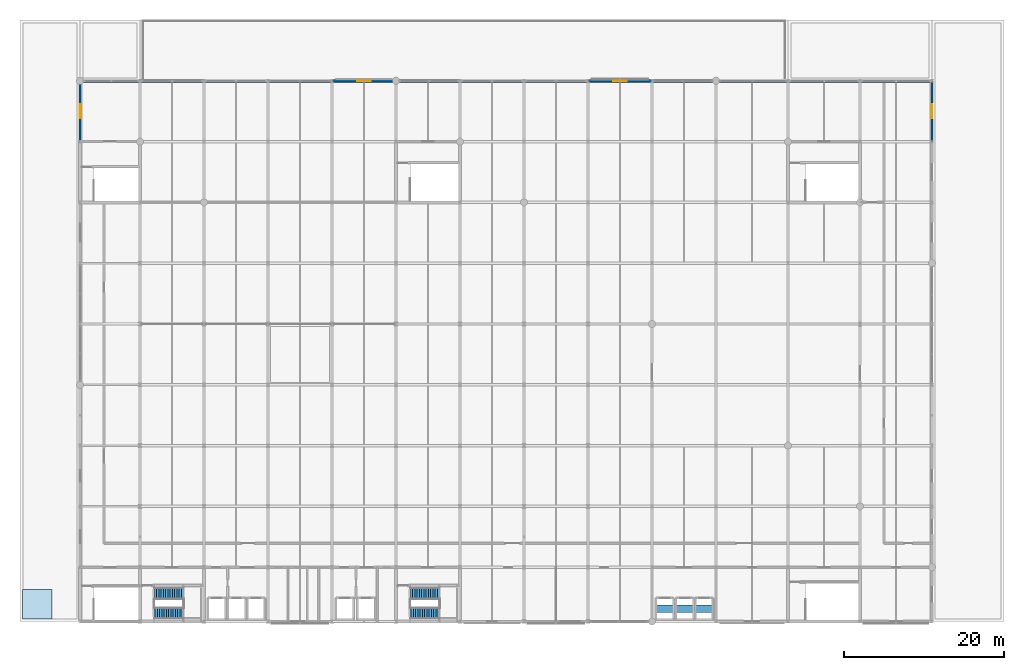
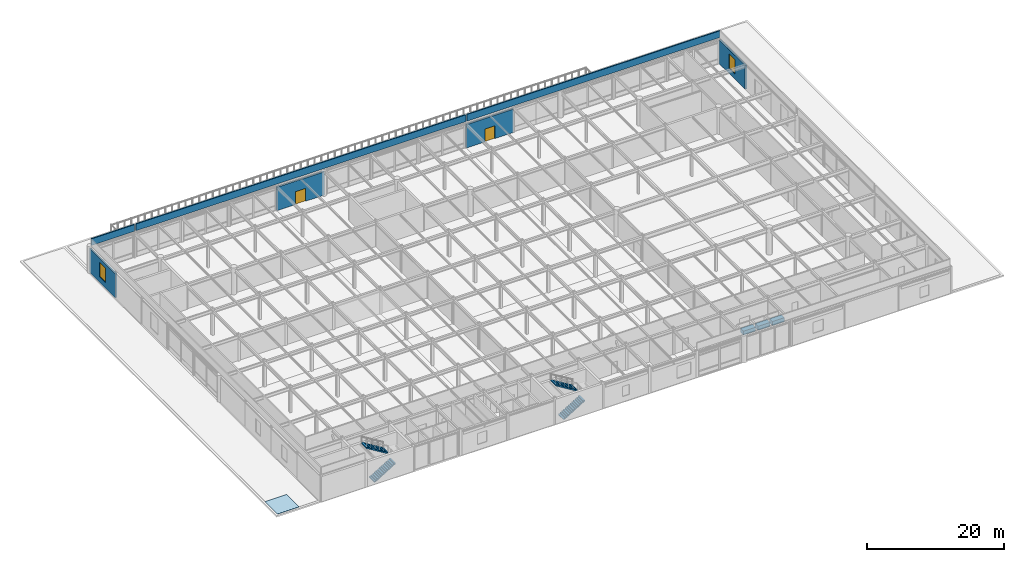
# One storey, part 39 of 43: 7 walls, 4 stair flights, 3 discrete accessories, 2 doors, 2 windows, 1 roof, 4 openings, 2 elements without a shape of their own.
"""IFC4 building model written with IfcOpenShell, lengths in metres."""

from ifc_helpers import new_model, si_unit, direction, frame, frame_2d, origin, origin_2d, place, context, subcontext, project, spatial, polyline, rectangle, outline, extrude, material, layer, layer_set, type_object, element, fill, aggregate, save


model = new_model("IFC4")

# Units and contexts
model_context = context("Model", 3, precision=1e-05, world=origin(), true_north=direction((0.0, 1.0)))
body_context = subcontext(model_context, "Body", "Model", "MODEL_VIEW")
ifc_project = project(units=[si_unit("LENGTHUNIT", "METRE"), si_unit("AREAUNIT", "SQUARE_METRE"), si_unit("VOLUMEUNIT", "CUBIC_METRE"), si_unit("PLANEANGLEUNIT", "RADIAN"), si_unit("MASSUNIT", "GRAM", prefix="KILO")], contexts=[model_context])

# Site, building, storey
site_placement = place(None, origin())
site = spatial("IfcSite", under=ifc_project, at=site_placement, CompositionType="ELEMENT")
building_placement = place(site_placement, origin())
building = spatial("IfcBuilding", under=site, at=building_placement, Name="Shalkamar Park Central Library", CompositionType="ELEMENT")
storey_placement = place(building_placement, frame((0.0, 0.0, 15.60009765625)))
storey = spatial("IfcBuildingStorey", under=building, at=storey_placement, Name="L04", CompositionType="ELEMENT", Elevation=15.60009765625)

# Walls
ifc_material_1 = material(Name="Concrete C35/45 precast", Category="concrete")
ifc_layer_1 = layer(ifc_material_1, 0.179931640625)
ifc_layer_set_1 = layer_set([ifc_layer_1], Name="Concrete C35/45 precast")
wall_type_1 = type_object("IfcWallType", Name="Roof Parapet Wall 180", PredefinedType="PARAPET", material=ifc_layer_set_1)
wall_1_placement = place(storey_placement, frame((157.60009765625, 315.89990234375, 4.7998046875), z_axis=(0.0, 0.0, 1.0), x_axis=(1.0, 0.0, 0.0)))
element("IfcWall", 1, at=wall_1_placement, inside=storey, type_object=wall_type_1, Name="Roof Parapet Wall L04-27", PredefinedType="PARAPET", context=body_context, shape_type="SweptSolid", body=[
    extrude(rectangle(XDim=7.2998046875, YDim=0.179931640625, at=frame_2d((3.64990234375, 0.0))), origin(), (0.0, 0.0, 1.0), 1.2001953125),
])
wall_2_placement = place(storey_placement, frame((165.10009765625, 315.89990234375, 4.7998046875), z_axis=(0.0, 0.0, 1.0), x_axis=(1.0, 0.0, 0.0)))
element("IfcWall", 2, at=wall_2_placement, inside=storey, type_object=wall_type_1, Name="Roof Parapet Wall L04-29", PredefinedType="PARAPET", context=body_context, shape_type="SweptSolid", body=[
    extrude(rectangle(XDim=55.7998046875, YDim=0.179931640625, at=frame_2d((27.89990234375, 0.0))), origin(), (0.0, 0.0, 1.0), 1.2001953125),
])
wall_3_placement = place(storey_placement, frame((221.10009765625, 315.89990234375, 4.7998046875), z_axis=(0.0, 0.0, 1.0), x_axis=(1.0, 0.0, 0.0)))
element("IfcWall", 3, at=wall_3_placement, inside=storey, type_object=wall_type_1, Name="Roof Parapet Wall L04-33", PredefinedType="PARAPET", context=body_context, shape_type="SweptSolid", body=[
    extrude(rectangle(XDim=42.7998046875, YDim=0.179931640625, at=frame_2d((21.39990234375, 0.0))), origin(), (0.0, 0.0, 1.0), 1.2001953125),
])

# Wall, opening, door
ifc_material_2 = material(Name="Travertine insulated rainscreen", Category="masonry")
ifc_layer_2 = layer(ifc_material_2, 0.2900390625)
ifc_layer_set_2 = layer_set([ifc_layer_2], Name="TravertineTerracottaWall_290")
wall_type_2 = type_object("IfcWallType", Name="Travertine Terracotta Wall 290", PredefinedType="SOLIDWALL", material=ifc_layer_set_2)
wall_4_placement = place(storey_placement, frame((189.006103515625, 316.0, 0.0), z_axis=(0.0, 0.0, 1.0), x_axis=(1.0, 0.0, 0.0)))
wall_4 = element("IfcWall", 4, at=wall_4_placement, inside=storey, type_object=wall_type_2, Name="Exterior Facade Wall WL-EXT-L04-114", PredefinedType="SOLIDWALL", context=body_context, shape_type="SweptSolid", body=[
    extrude(rectangle(XDim=7.98779296875, YDim=0.2900390625, at=frame_2d((3.993896484375, 0.0))), origin(), (0.0, 0.0, 1.0), 4.16796875),
])
opening_1_placement = place(wall_4_placement, frame((3.14404296875, 0.0, 0.0)))
opening_1 = element("IfcOpeningElement", 5, at=opening_1_placement, cuts=wall_4, Name="Opening ED-L04-037", PredefinedType="OPENING", context=body_context, shape_type="SweptSolid", body=[
    extrude(rectangle(XDim=1.699951171875, YDim=2.300048828125, at=frame_2d((0.85009765625, 1.14990234375))), frame((0.0, 0.159912109375, 0.0), z_axis=(0.0, -1.0, 0.0), x_axis=(1.0, 0.0, 0.0)), (0.0, 0.0, 1.0), 0.31982421875),
])
ifc_material_3 = material(Name="Thermally broken insulated aluminium and glazed door", Category="aluminium")
door_type = type_object("IfcDoorType", Name="Cascade Terrace Door 1700x2300", OperationType="DOUBLE_DOOR_SINGLE_SWING", PredefinedType="DOOR", material=ifc_material_3)
door_1_placement = place(opening_1_placement, origin())
door_1 = element("IfcDoor", 6, at=door_1_placement, inside=storey, type_object=door_type, Name="L04 Upper Park Terrace Door 10", OperationType="DOUBLE_DOOR_SINGLE_SWING", OverallHeight=2.300048828125, OverallWidth=1.699951171875, PredefinedType="DOOR", context=body_context, shape_type="SweptSolid", body=[
    extrude(rectangle(XDim=1.699951171875, YDim=2.300048828125, at=frame_2d((0.85009765625, 1.14990234375))), frame((0.0, 0.02490234375, 0.0), z_axis=(0.0, -1.0, 0.0), x_axis=(1.0, 0.0, 0.0)), (0.0, 0.0, 1.0), 0.050048828125),
])
fill(opening_1, door_1)

wall_5_placement = place(storey_placement, frame((221.006103515625, 316.0, 0.0), z_axis=(0.0, 0.0, 1.0), x_axis=(1.0, 0.0, 0.0)))
wall_5 = element("IfcWall", 7, at=wall_5_placement, inside=storey, type_object=wall_type_2, Name="Exterior Facade Wall WL-EXT-L04-115", PredefinedType="SOLIDWALL", context=body_context, shape_type="SweptSolid", body=[
    extrude(rectangle(XDim=7.98779296875, YDim=0.2900390625, at=frame_2d((3.993896484375, 0.0))), origin(), (0.0, 0.0, 1.0), 4.16796875),
])
opening_2_placement = place(wall_5_placement, frame((3.14404296875, 0.0, 0.0)))
opening_2 = element("IfcOpeningElement", 8, at=opening_2_placement, cuts=wall_5, Name="Opening ED-L04-038", PredefinedType="OPENING", context=body_context, shape_type="SweptSolid", body=[
    extrude(rectangle(XDim=1.699951171875, YDim=2.300048828125, at=frame_2d((0.85009765625, 1.14990234375))), frame((0.0, 0.159912109375, 0.0), z_axis=(0.0, -1.0, 0.0), x_axis=(1.0, 0.0, 0.0)), (0.0, 0.0, 1.0), 0.31982421875),
])
door_2_placement = place(opening_2_placement, origin())
door_2 = element("IfcDoor", 9, at=door_2_placement, inside=storey, type_object=door_type, Name="L04 Upper Park Terrace Door 14", OperationType="DOUBLE_DOOR_SINGLE_SWING", OverallHeight=2.300048828125, OverallWidth=1.699951171875, PredefinedType="DOOR", context=body_context, shape_type="SweptSolid", body=[
    extrude(rectangle(XDim=1.699951171875, YDim=2.300048828125, at=frame_2d((0.85009765625, 1.14990234375))), frame((0.0, 0.02490234375, 0.0), z_axis=(0.0, -1.0, 0.0), x_axis=(1.0, 0.0, 0.0)), (0.0, 0.0, 1.0), 0.050048828125),
])
fill(opening_2, door_2)

# Wall, opening, window
wall_6_placement = place(storey_placement, frame((157.5, 308.406005859375, 0.0), z_axis=(0.0, 0.0, 1.0), x_axis=(0.0, 1.0, 0.0)))
wall_6 = element("IfcWall", 10, at=wall_6_placement, inside=storey, type_object=wall_type_2, Name="Exterior Facade Wall WL-EXT-L04-120", PredefinedType="SOLIDWALL", context=body_context, shape_type="SweptSolid", body=[
    extrude(rectangle(XDim=7.587890625, YDim=0.2900390625, at=frame_2d((3.7939453125, 0.0))), origin(), (0.0, 0.0, 1.0), 4.27783203125),
])
opening_3_placement = place(wall_6_placement, frame((2.89404296875, 0.0, 0.949951171875)))
opening_3 = element("IfcOpeningElement", 11, at=opening_3_placement, cuts=wall_6, Name="Opening WN-06", PredefinedType="OPENING", context=body_context, shape_type="SweptSolid", body=[
    extrude(rectangle(XDim=1.800048828125, YDim=2.60009765625, at=frame_2d((0.89990234375, 1.300048828125))), frame((0.0, 0.159912109375, 0.0), z_axis=(0.0, -1.0, 0.0), x_axis=(1.0, 0.0, 0.0)), (0.0, 0.0, 1.0), 0.31982421875),
])
ifc_material_4 = material(Name="Thermally broken aluminium and triple low-e glass", Category="glass")
window_type = type_object("IfcWindowType", Name="Podium Window 1800x2600", PartitioningType="DOUBLE_PANEL_VERTICAL", PredefinedType="WINDOW", material=ifc_material_4)
window_1_placement = place(opening_3_placement, origin())
window_1 = element("IfcWindow", 12, at=window_1_placement, inside=storey, type_object=window_type, Name="Facade Window WN-L04-078", OverallHeight=2.60009765625, OverallWidth=1.800048828125, PartitioningType="DOUBLE_PANEL_VERTICAL", PredefinedType="WINDOW", context=body_context, shape_type="SweptSolid", body=[
    extrude(rectangle(XDim=1.800048828125, YDim=2.60009765625, at=frame_2d((0.89990234375, 1.300048828125))), frame((0.0, 0.030029296875, 0.0), z_axis=(0.0, -1.0, 0.0), x_axis=(1.0, 0.0, 0.0)), (0.0, 0.0, 1.0), 0.06005859375),
])
fill(opening_3, window_1)

wall_7_placement = place(storey_placement, frame((264.0, 308.406005859375, 0.0), z_axis=(0.0, 0.0, 1.0), x_axis=(0.0, 1.0, 0.0)))
wall_7 = element("IfcWall", 13, at=wall_7_placement, inside=storey, type_object=wall_type_2, Name="Exterior Facade Wall WL-EXT-L04-127", PredefinedType="SOLIDWALL", context=body_context, shape_type="SweptSolid", body=[
    extrude(rectangle(XDim=7.587890625, YDim=0.2900390625, at=frame_2d((3.7939453125, 0.0))), origin(), (0.0, 0.0, 1.0), 4.27783203125),
])
opening_4_placement = place(wall_7_placement, frame((2.89404296875, 0.0, 0.949951171875)))
opening_4 = element("IfcOpeningElement", 14, at=opening_4_placement, cuts=wall_7, Name="Opening WN-06", PredefinedType="OPENING", context=body_context, shape_type="SweptSolid", body=[
    extrude(rectangle(XDim=1.800048828125, YDim=2.60009765625, at=frame_2d((0.89990234375, 1.300048828125))), frame((0.0, 0.159912109375, 0.0), z_axis=(0.0, -1.0, 0.0), x_axis=(1.0, 0.0, 0.0)), (0.0, 0.0, 1.0), 0.31982421875),
])
window_2_placement = place(opening_4_placement, origin())
window_2 = element("IfcWindow", 15, at=window_2_placement, inside=storey, type_object=window_type, Name="Facade Window WN-L04-084", OverallHeight=2.60009765625, OverallWidth=1.800048828125, PartitioningType="DOUBLE_PANEL_VERTICAL", PredefinedType="WINDOW", context=body_context, shape_type="SweptSolid", body=[
    extrude(rectangle(XDim=1.800048828125, YDim=2.60009765625, at=frame_2d((0.89990234375, 1.300048828125))), frame((0.0, 0.030029296875, 0.0), z_axis=(0.0, -1.0, 0.0), x_axis=(1.0, 0.0, 0.0)), (0.0, 0.0, 1.0), 0.06005859375),
])
fill(opening_4, window_2)

# Stair, stair flights
ifc_material_5 = material(Name="Concrete C35/45", Category="concrete")
stair_type = type_object("IfcStairType", Name="Protected Dog Leg Stair 150x480", PredefinedType="TWO_STRAIGHT_RUN_STAIR", material=ifc_material_5)
stair_1_placement = place(storey_placement, origin())
stair_1 = element("IfcStair", 16, at=stair_1_placement, inside=storey, type_object=stair_type, Name="Protected Core Stair ST-T1-L04", PredefinedType="TWO_STRAIGHT_RUN_STAIR")
stair_flight_type = type_object("IfcStairFlightType", Name="Straight Stair Flight 150x480", PredefinedType="STRAIGHT", material=ifc_material_5)
stair_flight_1_placement = place(storey_placement, frame((166.6201171875, 249.389892578125, 0.0), z_axis=(0.0, 0.0, 1.0), x_axis=(1.0, 0.0, 0.0)))
stair_flight_1 = element("IfcStairFlight", 17, at=stair_flight_1_placement, type_object=stair_flight_type, Name="ST-T1-L04 flight 1", NumberOfRisers=14, NumberOfTreads=13, PredefinedType="STRAIGHT", RiserHeight=0.171429, TreadLength=0.28, context=body_context, shape_type="SweptSolid", body=[
    extrude(outline(polyline([(0.0, 0.0), (0.0, 0.17138671875), (0.280029296875, 0.17138671875), (0.280029296875, 0.3427734375), (0.56005859375, 0.3427734375), (0.56005859375, 0.514404296875), (0.840087890625, 0.514404296875), (0.840087890625, 0.685791015625), (1.1201171875, 0.685791015625), (1.1201171875, 0.857177734375), (1.39990234375, 0.857177734375), (1.39990234375, 1.028564453125), (1.679931640625, 1.028564453125), (1.679931640625, 1.199951171875), (1.9599609375, 1.199951171875), (1.9599609375, 1.371337890625), (2.239990234375, 1.371337890625), (2.239990234375, 1.54296875), (2.52001953125, 1.54296875), (2.52001953125, 1.71435546875), (2.800048828125, 1.71435546875), (2.800048828125, 1.8857421875), (3.080078125, 1.8857421875), (3.080078125, 2.05712890625), (3.360107421875, 2.05712890625), (3.360107421875, 2.228515625), (3.639892578125, 2.228515625), (3.639892578125, 2.39990234375), (3.639892578125, 2.052734375), (0.287109375, 0.0), (0.0, 0.0)])), frame((0.0, 0.75, 0.0), z_axis=(0.0, -1.0, 0.0), x_axis=(1.0, 0.0, 0.0)), (0.0, 0.0, 1.0), 1.5),
])
stair_flight_2_placement = place(storey_placement, frame((170.43994140625, 251.909912109375, 2.39990234375), z_axis=(0.0, 0.0, 1.0), x_axis=(-1.0, 0.0, 0.0)))
stair_flight_2 = element("IfcStairFlight", 18, at=stair_flight_2_placement, type_object=stair_flight_type, Name="ST-T1-L04 flight 2", NumberOfRisers=14, NumberOfTreads=13, PredefinedType="STRAIGHT", RiserHeight=0.171429, TreadLength=0.28, context=body_context, shape_type="SweptSolid", body=[
    extrude(outline(polyline([(0.0, 0.0), (0.0, 0.17138671875), (0.280029296875, 0.17138671875), (0.280029296875, 0.3427734375), (0.56005859375, 0.3427734375), (0.56005859375, 0.514404296875), (0.840087890625, 0.514404296875), (0.840087890625, 0.685791015625), (1.1201171875, 0.685791015625), (1.1201171875, 0.857177734375), (1.39990234375, 0.857177734375), (1.39990234375, 1.028564453125), (1.679931640625, 1.028564453125), (1.679931640625, 1.199951171875), (1.9599609375, 1.199951171875), (1.9599609375, 1.371337890625), (2.239990234375, 1.371337890625), (2.239990234375, 1.54296875), (2.52001953125, 1.54296875), (2.52001953125, 1.71435546875), (2.800048828125, 1.71435546875), (2.800048828125, 1.8857421875), (3.080078125, 1.8857421875), (3.080078125, 2.05712890625), (3.360107421875, 2.05712890625), (3.360107421875, 2.228515625), (3.639892578125, 2.228515625), (3.639892578125, 2.39990234375), (3.639892578125, 2.052734375), (0.287109375, 0.0), (0.0, 0.0)])), frame((0.0, 0.75, 0.0), z_axis=(0.0, -1.0, 0.0), x_axis=(1.0, 0.0, 0.0)), (0.0, 0.0, 1.0), 1.5),
])
aggregate(stair_1, [stair_flight_1, stair_flight_2])

stair_2_placement = place(storey_placement, origin())
stair_2 = element("IfcStair", 19, at=stair_2_placement, inside=storey, type_object=stair_type, Name="Protected Core Stair ST-T2-L04", PredefinedType="TWO_STRAIGHT_RUN_STAIR")
stair_flight_3_placement = place(storey_placement, frame((198.6201171875, 249.389892578125, 0.0), z_axis=(0.0, 0.0, 1.0), x_axis=(1.0, 0.0, 0.0)))
stair_flight_3 = element("IfcStairFlight", 20, at=stair_flight_3_placement, type_object=stair_flight_type, Name="ST-T2-L04 flight 1", NumberOfRisers=14, NumberOfTreads=13, PredefinedType="STRAIGHT", RiserHeight=0.171429, TreadLength=0.28, context=body_context, shape_type="SweptSolid", body=[
    extrude(outline(polyline([(0.0, 0.0), (0.0, 0.17138671875), (0.280029296875, 0.17138671875), (0.280029296875, 0.3427734375), (0.56005859375, 0.3427734375), (0.56005859375, 0.514404296875), (0.840087890625, 0.514404296875), (0.840087890625, 0.685791015625), (1.1201171875, 0.685791015625), (1.1201171875, 0.857177734375), (1.39990234375, 0.857177734375), (1.39990234375, 1.028564453125), (1.679931640625, 1.028564453125), (1.679931640625, 1.199951171875), (1.9599609375, 1.199951171875), (1.9599609375, 1.371337890625), (2.239990234375, 1.371337890625), (2.239990234375, 1.54296875), (2.52001953125, 1.54296875), (2.52001953125, 1.71435546875), (2.800048828125, 1.71435546875), (2.800048828125, 1.8857421875), (3.080078125, 1.8857421875), (3.080078125, 2.05712890625), (3.360107421875, 2.05712890625), (3.360107421875, 2.228515625), (3.639892578125, 2.228515625), (3.639892578125, 2.39990234375), (3.639892578125, 2.052734375), (0.287109375, 0.0), (0.0, 0.0)])), frame((0.0, 0.75, 0.0), z_axis=(0.0, -1.0, 0.0), x_axis=(1.0, 0.0, 0.0)), (0.0, 0.0, 1.0), 1.5),
])
stair_flight_4_placement = place(storey_placement, frame((202.43994140625, 251.909912109375, 2.39990234375), z_axis=(0.0, 0.0, 1.0), x_axis=(-1.0, 0.0, 0.0)))
stair_flight_4 = element("IfcStairFlight", 21, at=stair_flight_4_placement, type_object=stair_flight_type, Name="ST-T2-L04 flight 2", NumberOfRisers=14, NumberOfTreads=13, PredefinedType="STRAIGHT", RiserHeight=0.171429, TreadLength=0.28, context=body_context, shape_type="SweptSolid", body=[
    extrude(outline(polyline([(0.0, 0.0), (0.0, 0.17138671875), (0.280029296875, 0.17138671875), (0.280029296875, 0.3427734375), (0.56005859375, 0.3427734375), (0.56005859375, 0.514404296875), (0.840087890625, 0.514404296875), (0.840087890625, 0.685791015625), (1.1201171875, 0.685791015625), (1.1201171875, 0.857177734375), (1.39990234375, 0.857177734375), (1.39990234375, 1.028564453125), (1.679931640625, 1.028564453125), (1.679931640625, 1.199951171875), (1.9599609375, 1.199951171875), (1.9599609375, 1.371337890625), (2.239990234375, 1.371337890625), (2.239990234375, 1.54296875), (2.52001953125, 1.54296875), (2.52001953125, 1.71435546875), (2.800048828125, 1.71435546875), (2.800048828125, 1.8857421875), (3.080078125, 1.8857421875), (3.080078125, 2.05712890625), (3.360107421875, 2.05712890625), (3.360107421875, 2.228515625), (3.639892578125, 2.228515625), (3.639892578125, 2.39990234375), (3.639892578125, 2.052734375), (0.287109375, 0.0), (0.0, 0.0)])), frame((0.0, 0.75, 0.0), z_axis=(0.0, -1.0, 0.0), x_axis=(1.0, 0.0, 0.0)), (0.0, 0.0, 1.0), 1.5),
])
aggregate(stair_2, [stair_flight_3, stair_flight_4])

# Roof
ifc_layer_3 = layer(ifc_material_5, 0.239990234375)
ifc_layer_set_3 = layer_set([ifc_layer_3], Name="Concrete C35/45")
roof_type = type_object("IfcRoofType", Name="Insulated Flat Roof Assembly", PredefinedType="FLAT_ROOF", material=ifc_layer_set_3)
roof_placement = place(storey_placement, origin())
element("IfcRoof", 22, at=roof_placement, inside=storey, type_object=roof_type, Name="Level L04 Insulated Flat Roof Assembly", PredefinedType="FLAT_ROOF", context=body_context, shape_type="SweptSolid", body=[
    extrude(outline(polyline([(150.300048828125, 248.699951171875), (154.0, 248.699951171875), (154.0, 252.39990234375), (150.300048828125, 252.39990234375), (150.300048828125, 248.699951171875)])), origin(), (0.0, 0.0, 1.0), 0.02978515625),
])

# Discrete accessories
ifc_material_6 = material(Name="Steel S355", Category="steel")
discrete_accessory_type = type_object("IfcDiscreteAccessoryType", Name="Lift Hoistway Machine Unit", PredefinedType="BRACKET", material=ifc_material_6)
for number, where, z_axis, x_axis, name in (
    (23, (230.60009765625, 250.0, 3.75), (0.0, 0.0, 1.0), (1.0, 0.0, 0.0), "Lift LP-01 Traction Machine and Bedplate"),
    (24, (233.10009765625, 250.0, 3.75), (0.0, 0.0, 1.0), (1.0, 0.0, 0.0), "Lift LP-02 Traction Machine and Bedplate"),
    (25, (235.5, 250.0, 3.75), (0.0, 0.0, 1.0), (1.0, 0.0, 0.0), "Lift LP-03 Traction Machine and Bedplate"),
):
    element("IfcDiscreteAccessory", number, at=place(storey_placement, frame(where, z_axis=z_axis, x_axis=x_axis)), inside=storey, type_object=discrete_accessory_type, Name=name, PredefinedType="BRACKET", context=body_context, shape_type="SweptSolid", body=[
        extrude(rectangle(XDim=2.02001953125, YDim=0.89990234375, at=origin_2d()), origin(), (0.0, 0.0, 1.0), 0.699951171875),
    ])

save(model, "model.ifc")
